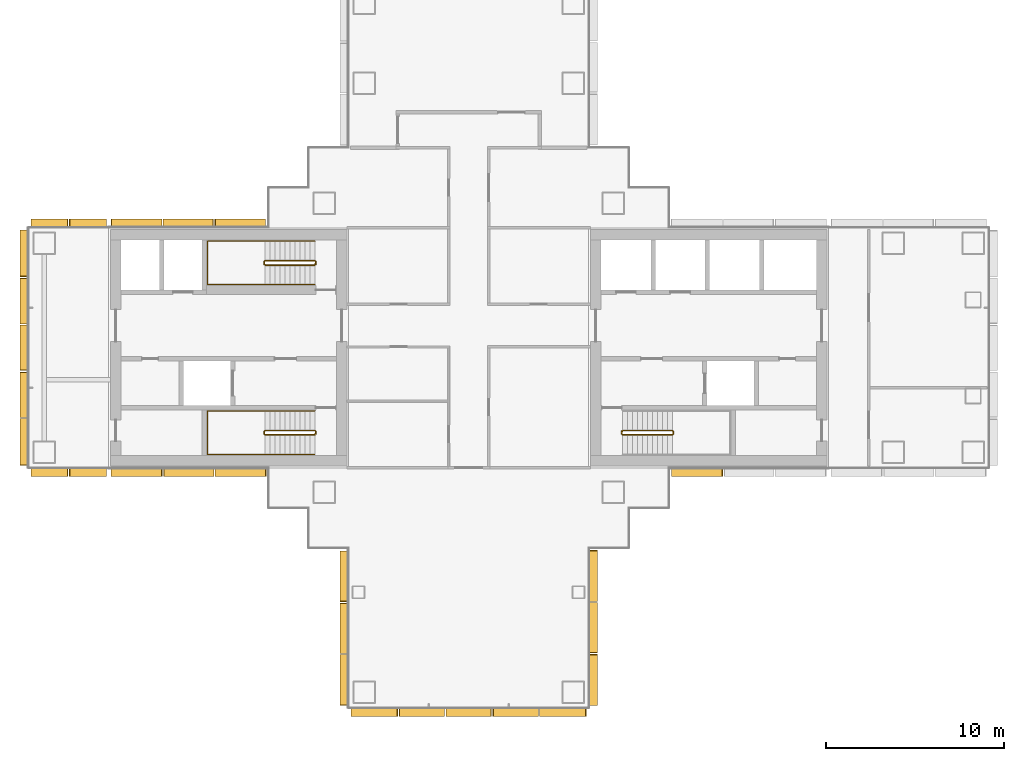
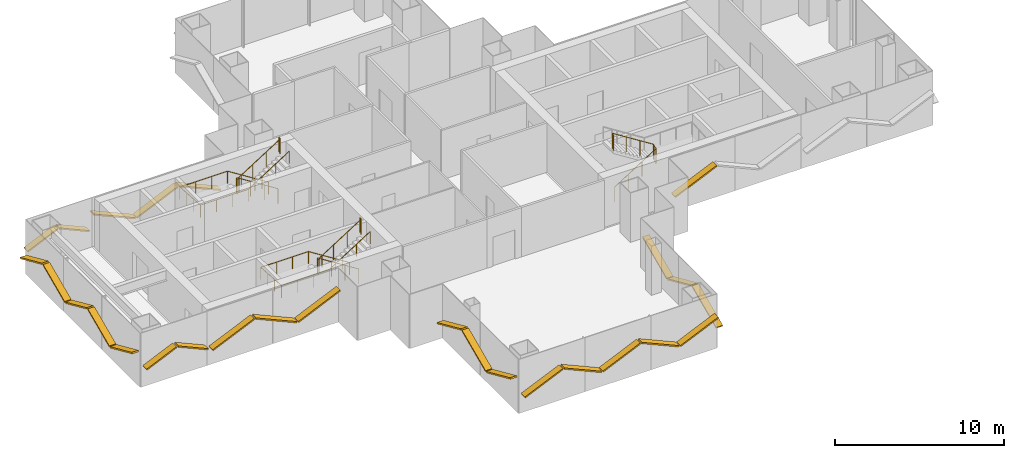
# One storey, part 16 of 19: 27 shading devices, 5 railings.
"""IFC4 building model written with IfcOpenShell, lengths in metres."""

from ifc_helpers import new_model, si_unit, direction, frame, origin, origin_2d, place, context, subcontext, project, spatial, rectangle, circle, extrude, material, material_profile, profile_set, type_object, element, save


model = new_model("IFC4")

# Units and contexts
model_context = context("Model", 3, precision=1e-05, world=origin(), true_north=direction((0.0, 1.0)))
body_context = subcontext(model_context, "Body", "Model", "MODEL_VIEW")
ifc_project = project(units=[si_unit("LENGTHUNIT", "METRE"), si_unit("AREAUNIT", "SQUARE_METRE"), si_unit("VOLUMEUNIT", "CUBIC_METRE"), si_unit("PLANEANGLEUNIT", "RADIAN"), si_unit("MASSUNIT", "GRAM", prefix="KILO")], contexts=[model_context])

# Site, building, storey
site_placement = place(None, origin())
site = spatial("IfcSite", under=ifc_project, at=site_placement, CompositionType="ELEMENT")
building_placement = place(site_placement, origin())
building = spatial("IfcBuilding", under=site, at=building_placement, Name="Shamsa Quay Exchange Towers", CompositionType="ELEMENT")
storey_placement = place(building_placement, frame((0.0, 0.0, 97.5)))
storey = spatial("IfcBuildingStorey", under=building, at=storey_placement, Name="L22", CompositionType="ELEMENT", Elevation=97.5)

# Shading devices
ifc_material_1 = material(Name="Aluminium EN AW-6063 T6, black anodised", Category="aluminium")
ifc_material_profile = material_profile(ifc_material_1, rectangle(XDim=0.449951171875, YDim=0.10009765625, at=origin_2d()), Name="FIN450x100")
ifc_profile_set = profile_set([ifc_material_profile], Name="Aluminium EN AW-6063 T6, black anodised")
shading_device_type = type_object("IfcShadingDeviceType", Name="FIN 450x100 BLACK ALUMINIUM", PredefinedType="USERDEFINED", material=ifc_profile_set)
shading_device_1_placement = place(storey_placement, frame((-40.764892578125, -11.43798828125, 0.96826171875), z_axis=(0.0, -0.913529328323, 0.406772868187), x_axis=(1.0, 0.0, 0.0)))
element("IfcShadingDevice", 1, at=shading_device_1_placement, inside=storey, type_object=shading_device_type, Name="FIN T1 chevron rib", ObjectType="FIN", PredefinedType="USERDEFINED", context=body_context, shape_type="SweptSolid", body=[
    extrude(rectangle(XDim=0.449951171875, YDim=0.10009765625, at=origin_2d()), origin(), (0.0, 0.0, 1.0), 3.10595703125),
])
shading_device_2_placement = place(storey_placement, frame((-40.764892578125, -14.375244140625, 2.220458984375), z_axis=(0.0, -0.913550687431, -0.406724896576), x_axis=(1.0, 0.0, 0.0)))
element("IfcShadingDevice", 2, at=shading_device_2_placement, inside=storey, type_object=shading_device_type, Name="FIN T1 chevron rib", ObjectType="FIN", PredefinedType="USERDEFINED", context=body_context, shape_type="SweptSolid", body=[
    extrude(rectangle(XDim=0.449951171875, YDim=0.10009765625, at=origin_2d()), origin(), (0.0, 0.0, 1.0), 3.051025390625),
])
shading_device_3_placement = place(storey_placement, frame((-40.764892578125, -17.2626953125, 0.96826171875), z_axis=(0.0, -0.913529328323, 0.406772868187), x_axis=(1.0, 0.0, 0.0)))
element("IfcShadingDevice", 3, at=shading_device_3_placement, inside=storey, type_object=shading_device_type, Name="FIN T1 chevron rib", ObjectType="FIN", PredefinedType="USERDEFINED", context=body_context, shape_type="SweptSolid", body=[
    extrude(rectangle(XDim=0.449951171875, YDim=0.10009765625, at=origin_2d()), origin(), (0.0, 0.0, 1.0), 3.10595703125),
])
shading_device_4_placement = place(storey_placement, frame((-40.35009765625, -20.514892578125, 1.0234375), z_axis=(0.91355925163, 0.0, 0.406705659859), x_axis=(0.0, 1.0, 0.0)))
element("IfcShadingDevice", 4, at=shading_device_4_placement, inside=storey, type_object=shading_device_type, Name="FIN T1 chevron rib", ObjectType="FIN", PredefinedType="USERDEFINED", context=body_context, shape_type="SweptSolid", body=[
    extrude(rectangle(XDim=0.449951171875, YDim=0.10009765625, at=origin_2d()), origin(), (0.0, 0.0, 1.0), 2.835205078125),
])
shading_device_5_placement = place(storey_placement, frame((-37.659912109375, -20.514892578125, 2.16552734375), z_axis=(0.913536125794, 0.0, -0.406757602103), x_axis=(0.0, 1.0, 0.0)))
element("IfcShadingDevice", 5, at=shading_device_5_placement, inside=storey, type_object=shading_device_type, Name="FIN T1 chevron rib", ObjectType="FIN", PredefinedType="USERDEFINED", context=body_context, shape_type="SweptSolid", body=[
    extrude(rectangle(XDim=0.449951171875, YDim=0.10009765625, at=origin_2d()), origin(), (0.0, 0.0, 1.0), 2.7802734375),
])
shading_device_6_placement = place(storey_placement, frame((-35.02001953125, -20.514892578125, 1.03466796875), z_axis=(0.913550653139, 0.0, 0.4067249736), x_axis=(0.0, 1.0, 0.0)))
element("IfcShadingDevice", 6, at=shading_device_6_placement, inside=storey, type_object=shading_device_type, Name="FIN T1 chevron rib", ObjectType="FIN", PredefinedType="USERDEFINED", context=body_context, shape_type="SweptSolid", body=[
    extrude(rectangle(XDim=0.449951171875, YDim=0.10009765625, at=origin_2d()), origin(), (0.0, 0.0, 1.0), 2.780517578125),
])
shading_device_7_placement = place(storey_placement, frame((-32.3798828125, -20.514892578125, 2.16552734375), z_axis=(0.913536125794, 0.0, -0.406757602103), x_axis=(0.0, 1.0, 0.0)))
element("IfcShadingDevice", 7, at=shading_device_7_placement, inside=storey, type_object=shading_device_type, Name="FIN T1 chevron rib", ObjectType="FIN", PredefinedType="USERDEFINED", context=body_context, shape_type="SweptSolid", body=[
    extrude(rectangle(XDim=0.449951171875, YDim=0.10009765625, at=origin_2d()), origin(), (0.0, 0.0, 1.0), 2.7802734375),
])
shading_device_8_placement = place(storey_placement, frame((-29.739990234375, -20.514892578125, 1.0234375), z_axis=(0.91355925163, 0.0, 0.406705659859), x_axis=(0.0, 1.0, 0.0)))
element("IfcShadingDevice", 8, at=shading_device_8_placement, inside=storey, type_object=shading_device_type, Name="FIN T1 chevron rib", ObjectType="FIN", PredefinedType="USERDEFINED", context=body_context, shape_type="SweptSolid", body=[
    extrude(rectangle(XDim=0.449951171875, YDim=0.10009765625, at=origin_2d()), origin(), (0.0, 0.0, 1.0), 2.835205078125),
])
shading_device_9_placement = place(storey_placement, frame((-26.735107421875, -20.10009765625, 0.965576171875), z_axis=(0.0, 0.913562893981, 0.406697478158), x_axis=(-1.0, 0.0, 0.0)))
element("IfcShadingDevice", 9, at=shading_device_9_placement, inside=storey, type_object=shading_device_type, Name="FIN T1 chevron rib", ObjectType="FIN", PredefinedType="USERDEFINED", context=body_context, shape_type="SweptSolid", body=[
    extrude(rectangle(XDim=0.449951171875, YDim=0.10009765625, at=origin_2d()), origin(), (0.0, 0.0, 1.0), 3.119873046875),
])
shading_device_10_placement = place(storey_placement, frame((-26.735107421875, -17.14990234375, 2.223388671875), z_axis=(0.0, 0.913512380128, -0.406810928262), x_axis=(-1.0, 0.0, 0.0)))
element("IfcShadingDevice", 10, at=shading_device_10_placement, inside=storey, type_object=shading_device_type, Name="FIN T1 chevron rib", ObjectType="FIN", PredefinedType="USERDEFINED", context=body_context, shape_type="SweptSolid", body=[
    extrude(rectangle(XDim=0.449951171875, YDim=0.10009765625, at=origin_2d()), origin(), (0.0, 0.0, 1.0), 3.06494140625),
])
shading_device_11_placement = place(storey_placement, frame((-26.735107421875, -14.25, 0.965576171875), z_axis=(0.0, 0.913562893981, 0.406697478158), x_axis=(-1.0, 0.0, 0.0)))
element("IfcShadingDevice", 11, at=shading_device_11_placement, inside=storey, type_object=shading_device_type, Name="FIN T1 chevron rib", ObjectType="FIN", PredefinedType="USERDEFINED", context=body_context, shape_type="SweptSolid", body=[
    extrude(rectangle(XDim=0.449951171875, YDim=0.10009765625, at=origin_2d()), origin(), (0.0, 0.0, 1.0), 3.119873046875),
])
for number, where, z_axis, x_axis, name in (
    (12, (-22.31201171875, -7.01904296875, 0.96826171875), (0.913529328323, 0.0, 0.406772868187), (0.0, 1.0, 0.0), "FIN T1 chevron rib"),
    (13, (-45.18798828125, 7.01904296875, 0.96826171875), (-0.913529328323, 0.0, 0.406772868187), (0.0, -1.0, 0.0), "FIN T1 chevron rib"),
):
    element("IfcShadingDevice", number, at=place(storey_placement, frame(where, z_axis=z_axis, x_axis=x_axis)), inside=storey, type_object=shading_device_type, Name=name, ObjectType="FIN", PredefinedType="USERDEFINED", context=body_context, shape_type="SweptSolid", body=[
        extrude(rectangle(XDim=0.449951171875, YDim=0.10009765625, at=origin_2d()), origin(), (0.0, 0.0, 1.0), 3.10595703125),
    ])
shading_device_12_placement = place(storey_placement, frame((-48.125244140625, 7.01904296875, 2.220458984375), z_axis=(-0.913550687431, 0.0, -0.406724896576), x_axis=(0.0, -1.0, 0.0)))
element("IfcShadingDevice", 14, at=shading_device_12_placement, inside=storey, type_object=shading_device_type, Name="FIN T1 chevron rib", ObjectType="FIN", PredefinedType="USERDEFINED", context=body_context, shape_type="SweptSolid", body=[
    extrude(rectangle(XDim=0.449951171875, YDim=0.10009765625, at=origin_2d()), origin(), (0.0, 0.0, 1.0), 3.051025390625),
])
shading_device_13_placement = place(storey_placement, frame((-51.0126953125, 7.01904296875, 0.96826171875), z_axis=(-0.913529328323, 0.0, 0.406772868187), x_axis=(0.0, -1.0, 0.0)))
element("IfcShadingDevice", 15, at=shading_device_13_placement, inside=storey, type_object=shading_device_type, Name="FIN T1 chevron rib", ObjectType="FIN", PredefinedType="USERDEFINED", context=body_context, shape_type="SweptSolid", body=[
    extrude(rectangle(XDim=0.449951171875, YDim=0.10009765625, at=origin_2d()), origin(), (0.0, 0.0, 1.0), 3.10595703125),
])
for number, where, z_axis, x_axis, name in (
    (16, (-54.14990234375, 7.014892578125, 1.1435546875), (-0.913528691757, 0.0, 0.406774297783), (0.0, -1.0, 0.0), "FIN T1 chevron rib"),
    (17, (-56.300048828125, 7.014892578125, 2.056396484375), (-0.913528691757, 0.0, -0.406774297783), (0.0, -1.0, 0.0), "FIN T1 chevron rib"),
):
    element("IfcShadingDevice", number, at=place(storey_placement, frame(where, z_axis=z_axis, x_axis=x_axis)), inside=storey, type_object=shading_device_type, Name=name, ObjectType="FIN", PredefinedType="USERDEFINED", context=body_context, shape_type="SweptSolid", body=[
        extrude(rectangle(XDim=0.449951171875, YDim=0.10009765625, at=origin_2d()), origin(), (0.0, 0.0, 1.0), 2.244140625),
    ])
shading_device_14_placement = place(storey_placement, frame((-58.764892578125, 6.60009765625, 1.0234375), z_axis=(0.0, -0.91355925163, 0.406705659859), x_axis=(1.0, 0.0, 0.0)))
element("IfcShadingDevice", 18, at=shading_device_14_placement, inside=storey, type_object=shading_device_type, Name="FIN T1 chevron rib", ObjectType="FIN", PredefinedType="USERDEFINED", context=body_context, shape_type="SweptSolid", body=[
    extrude(rectangle(XDim=0.449951171875, YDim=0.10009765625, at=origin_2d()), origin(), (0.0, 0.0, 1.0), 2.835205078125),
])
shading_device_15_placement = place(storey_placement, frame((-58.764892578125, 3.909912109375, 2.16552734375), z_axis=(0.0, -0.913536125794, -0.406757602103), x_axis=(1.0, 0.0, 0.0)))
element("IfcShadingDevice", 19, at=shading_device_15_placement, inside=storey, type_object=shading_device_type, Name="FIN T1 chevron rib", ObjectType="FIN", PredefinedType="USERDEFINED", context=body_context, shape_type="SweptSolid", body=[
    extrude(rectangle(XDim=0.449951171875, YDim=0.10009765625, at=origin_2d()), origin(), (0.0, 0.0, 1.0), 2.7802734375),
])
shading_device_16_placement = place(storey_placement, frame((-58.764892578125, 1.27001953125, 1.03466796875), z_axis=(0.0, -0.913550653139, 0.4067249736), x_axis=(1.0, 0.0, 0.0)))
element("IfcShadingDevice", 20, at=shading_device_16_placement, inside=storey, type_object=shading_device_type, Name="FIN T1 chevron rib", ObjectType="FIN", PredefinedType="USERDEFINED", context=body_context, shape_type="SweptSolid", body=[
    extrude(rectangle(XDim=0.449951171875, YDim=0.10009765625, at=origin_2d()), origin(), (0.0, 0.0, 1.0), 2.780517578125),
])
shading_device_17_placement = place(storey_placement, frame((-58.764892578125, -1.3701171875, 2.16552734375), z_axis=(0.0, -0.913536125794, -0.406757602103), x_axis=(1.0, 0.0, 0.0)))
element("IfcShadingDevice", 21, at=shading_device_17_placement, inside=storey, type_object=shading_device_type, Name="FIN T1 chevron rib", ObjectType="FIN", PredefinedType="USERDEFINED", context=body_context, shape_type="SweptSolid", body=[
    extrude(rectangle(XDim=0.449951171875, YDim=0.10009765625, at=origin_2d()), origin(), (0.0, 0.0, 1.0), 2.7802734375),
])
shading_device_18_placement = place(storey_placement, frame((-58.764892578125, -4.010009765625, 1.0234375), z_axis=(0.0, -0.91355925163, 0.406705659859), x_axis=(1.0, 0.0, 0.0)))
element("IfcShadingDevice", 22, at=shading_device_18_placement, inside=storey, type_object=shading_device_type, Name="FIN T1 chevron rib", ObjectType="FIN", PredefinedType="USERDEFINED", context=body_context, shape_type="SweptSolid", body=[
    extrude(rectangle(XDim=0.449951171875, YDim=0.10009765625, at=origin_2d()), origin(), (0.0, 0.0, 1.0), 2.835205078125),
])
for number, where, z_axis, x_axis, name in (
    (23, (-58.35009765625, -7.014892578125, 1.1435546875), (0.913528691757, 0.0, 0.406774297783), (0.0, 1.0, 0.0), "FIN T1 chevron rib"),
    (24, (-56.199951171875, -7.014892578125, 2.056396484375), (0.913528691757, 0.0, -0.406774297783), (0.0, 1.0, 0.0), "FIN T1 chevron rib"),
):
    element("IfcShadingDevice", number, at=place(storey_placement, frame(where, z_axis=z_axis, x_axis=x_axis)), inside=storey, type_object=shading_device_type, Name=name, ObjectType="FIN", PredefinedType="USERDEFINED", context=body_context, shape_type="SweptSolid", body=[
        extrude(rectangle(XDim=0.449951171875, YDim=0.10009765625, at=origin_2d()), origin(), (0.0, 0.0, 1.0), 2.244140625),
    ])
shading_device_19_placement = place(storey_placement, frame((-53.85009765625, -7.01904296875, 0.965576171875), z_axis=(0.913562893981, 0.0, 0.406697478158), x_axis=(0.0, 1.0, 0.0)))
element("IfcShadingDevice", 25, at=shading_device_19_placement, inside=storey, type_object=shading_device_type, Name="FIN T1 chevron rib", ObjectType="FIN", PredefinedType="USERDEFINED", context=body_context, shape_type="SweptSolid", body=[
    extrude(rectangle(XDim=0.449951171875, YDim=0.10009765625, at=origin_2d()), origin(), (0.0, 0.0, 1.0), 3.119873046875),
])
shading_device_20_placement = place(storey_placement, frame((-50.89990234375, -7.01904296875, 2.223388671875), z_axis=(0.913512380128, 0.0, -0.406810928262), x_axis=(0.0, 1.0, 0.0)))
element("IfcShadingDevice", 26, at=shading_device_20_placement, inside=storey, type_object=shading_device_type, Name="FIN T1 chevron rib", ObjectType="FIN", PredefinedType="USERDEFINED", context=body_context, shape_type="SweptSolid", body=[
    extrude(rectangle(XDim=0.449951171875, YDim=0.10009765625, at=origin_2d()), origin(), (0.0, 0.0, 1.0), 3.06494140625),
])
shading_device_21_placement = place(storey_placement, frame((-48.0, -7.01904296875, 0.965576171875), z_axis=(0.913562893981, 0.0, 0.406697478158), x_axis=(0.0, 1.0, 0.0)))
element("IfcShadingDevice", 27, at=shading_device_21_placement, inside=storey, type_object=shading_device_type, Name="FIN T1 chevron rib", ObjectType="FIN", PredefinedType="USERDEFINED", context=body_context, shape_type="SweptSolid", body=[
    extrude(rectangle(XDim=0.449951171875, YDim=0.10009765625, at=origin_2d()), origin(), (0.0, 0.0, 1.0), 3.119873046875),
])

# Railings
ifc_material_2 = material(Name="Stainless steel", Category="steel")
railing_type_1 = type_object("IfcRailingType", Name="STAIR GUARD 1100", PredefinedType="GUARDRAIL", material=ifc_material_2)
railing_1_placement = place(storey_placement, frame((-25.10009765625, -4.89990234375, 0.17724609375)))
element("IfcRailing", 28, at=railing_1_placement, inside=storey, type_object=railing_type_1, Name="L22 ST1 stair guard 1", PredefinedType="GUARDRAIL", context=body_context, shape_type="SweptSolid", body=[
    extrude(circle(Radius=0.02392578125, at=origin_2d()), frame((0.0, 0.0, 1.076171875), z_axis=(0.844908973607, 0.0, 0.534910110503), x_axis=(0.0, 1.0, 0.0)), (0.0, 0.0, 1.0), 3.31396484375),
    extrude(circle(Radius=0.02392578125, at=origin_2d()), frame((2.800048828125, 0.0, 2.8486328125), z_axis=(0.708833529934, 0.705375805398, 0.0), x_axis=(-0.705375805398, 0.708833529934, 0.0)), (0.0, 0.0, 1.0), 0.070556640625),
    extrude(circle(Radius=0.02392578125, at=origin_2d()), frame((2.85009765625, 0.0498046875, 2.8486328125), z_axis=(0.0, 1.0, 0.0), x_axis=(-1.0, 0.0, 0.0)), (0.0, 0.0, 1.0), 0.150146484375),
    extrude(circle(Radius=0.02392578125, at=origin_2d()), frame((2.85009765625, 0.199951171875, 2.8486328125), z_axis=(-0.262233686654, 0.262233686654, 0.928691007369), x_axis=(-0.707106781187, -0.707106781187, 0.0)), (0.0, 0.0, 1.0), 0.19091796875),
    extrude(circle(Radius=0.02392578125, at=origin_2d()), frame((2.800048828125, 0.25, 3.02587890625), z_axis=(-0.844908973607, 0.0, 0.534910110503), x_axis=(0.0, -1.0, 0.0)), (0.0, 0.0, 1.0), 3.31396484375),
    extrude(circle(Radius=0.02392578125, at=origin_2d()), frame((0.0, 0.25, 4.798828125), z_axis=(-0.24142163986, -0.970420317083, 0.0), x_axis=(0.970420317083, -0.24142163986, 0.0)), (0.0, 0.0, 1.0), 0.206298828125),
    extrude(circle(Radius=0.02392578125, at=origin_2d()), frame((-0.0498046875, 0.0498046875, 4.798828125), z_axis=(0.0, 1.0, 0.0), x_axis=(-1.0, 0.0, 0.0)), (0.0, 0.0, 1.0), 0.150146484375),
    extrude(circle(Radius=0.02099609375, at=origin_2d()), origin(), (0.0, 0.0, 1.0), 1.052001953125),
    extrude(circle(Radius=0.02099609375, at=origin_2d()), frame((0.933349609375, 0.0, 0.5908203125)), (0.0, 0.0, 1.0), 1.052001953125),
    extrude(circle(Radius=0.02099609375, at=origin_2d()), frame((1.86669921875, 0.0, 1.181884765625)), (0.0, 0.0, 1.0), 1.052001953125),
    extrude(circle(Radius=0.02099609375, at=origin_2d()), frame((2.800048828125, 0.0, 1.772705078125)), (0.0, 0.0, 1.0), 1.052001953125),
    extrude(circle(Radius=0.02099609375, at=origin_2d()), frame((2.85009765625, 0.0498046875, 1.772705078125)), (0.0, 0.0, 1.0), 1.052001953125),
    extrude(circle(Radius=0.02099609375, at=origin_2d()), frame((2.85009765625, 0.199951171875, 1.772705078125)), (0.0, 0.0, 1.0), 1.052001953125),
    extrude(circle(Radius=0.02099609375, at=origin_2d()), frame((2.800048828125, 0.25, 1.949951171875)), (0.0, 0.0, 1.0), 1.052001953125),
    extrude(circle(Radius=0.02099609375, at=origin_2d()), frame((1.86669921875, 0.25, 2.540771484375)), (0.0, 0.0, 1.0), 1.052001953125),
    extrude(circle(Radius=0.02099609375, at=origin_2d()), frame((0.933349609375, 0.25, 3.1318359375)), (0.0, 0.0, 1.0), 1.052001953125),
    extrude(circle(Radius=0.02099609375, at=origin_2d()), frame((0.0, 0.25, 3.72265625)), (0.0, 0.0, 1.0), 1.052001953125),
    extrude(circle(Radius=0.02099609375, at=origin_2d()), frame((-0.0498046875, 0.0498046875, 3.72265625)), (0.0, 0.0, 1.0), 1.052001953125),
    extrude(circle(Radius=0.02099609375, at=origin_2d()), frame((-0.0498046875, 0.199951171875, 3.72265625)), (0.0, 0.0, 1.0), 1.052001953125),
])
railing_2_placement = place(storey_placement, frame((-42.39990234375, -4.64990234375, 0.17724609375)))
element("IfcRailing", 29, at=railing_2_placement, inside=storey, type_object=railing_type_1, Name="L22 ST2 stair guard 1", PredefinedType="GUARDRAIL", context=body_context, shape_type="SweptSolid", body=[
    extrude(circle(Radius=0.02392578125, at=origin_2d()), frame((0.0, 0.0, 1.076171875), z_axis=(-0.844908973607, 0.0, 0.534910110503), x_axis=(0.0, -1.0, 0.0)), (0.0, 0.0, 1.0), 3.31396484375),
    extrude(circle(Radius=0.02392578125, at=origin_2d()), frame((-2.800048828125, 0.0, 2.8486328125), z_axis=(-0.707106781187, -0.707106781187, 0.0), x_axis=(0.707106781187, -0.707106781187, 0.0)), (0.0, 0.0, 1.0), 0.07080078125),
    extrude(circle(Radius=0.02392578125, at=origin_2d()), frame((-2.85009765625, -0.050048828125, 2.8486328125), z_axis=(0.0, -1.0, 0.0), x_axis=(1.0, 0.0, 0.0)), (0.0, 0.0, 1.0), 0.150146484375),
    extrude(circle(Radius=0.02392578125, at=origin_2d()), frame((-2.85009765625, -0.2001953125, 2.8486328125), z_axis=(0.262321481514, -0.261041864531, 0.929001929653), x_axis=(0.705375805398, 0.708833529934, 0.0)), (0.0, 0.0, 1.0), 0.190673828125),
    extrude(circle(Radius=0.02392578125, at=origin_2d()), frame((-2.800048828125, -0.25, 3.02587890625), z_axis=(0.844908973607, 0.0, 0.534910110503), x_axis=(0.0, 1.0, 0.0)), (0.0, 0.0, 1.0), 3.31396484375),
    extrude(circle(Radius=0.02392578125, at=origin_2d()), frame((0.0, -0.25, 4.798828125), z_axis=(0.241699205484, 0.970351222016, 0.0), x_axis=(-0.970351222016, 0.241699205484, 0.0)), (0.0, 0.0, 1.0), 0.2060546875),
    extrude(circle(Radius=0.02392578125, at=origin_2d()), frame((0.0498046875, -0.050048828125, 4.798828125), z_axis=(0.0, -1.0, 0.0), x_axis=(1.0, 0.0, 0.0)), (0.0, 0.0, 1.0), 0.150146484375),
    extrude(circle(Radius=0.02099609375, at=origin_2d()), origin(), (0.0, 0.0, 1.0), 1.052001953125),
    extrude(circle(Radius=0.02099609375, at=origin_2d()), frame((-0.933349609375, 0.0, 0.5908203125)), (0.0, 0.0, 1.0), 1.052001953125),
    extrude(circle(Radius=0.02099609375, at=origin_2d()), frame((-1.86669921875, 0.0, 1.181884765625)), (0.0, 0.0, 1.0), 1.052001953125),
    extrude(circle(Radius=0.02099609375, at=origin_2d()), frame((-2.800048828125, 0.0, 1.772705078125)), (0.0, 0.0, 1.0), 1.052001953125),
    extrude(circle(Radius=0.02099609375, at=origin_2d()), frame((-2.85009765625, -0.050048828125, 1.772705078125)), (0.0, 0.0, 1.0), 1.052001953125),
    extrude(circle(Radius=0.02099609375, at=origin_2d()), frame((-2.85009765625, -0.2001953125, 1.772705078125)), (0.0, 0.0, 1.0), 1.052001953125),
    extrude(circle(Radius=0.02099609375, at=origin_2d()), frame((-2.800048828125, -0.25, 1.949951171875)), (0.0, 0.0, 1.0), 1.052001953125),
    extrude(circle(Radius=0.02099609375, at=origin_2d()), frame((-1.86669921875, -0.25, 2.540771484375)), (0.0, 0.0, 1.0), 1.052001953125),
    extrude(circle(Radius=0.02099609375, at=origin_2d()), frame((-0.933349609375, -0.25, 3.1318359375)), (0.0, 0.0, 1.0), 1.052001953125),
    extrude(circle(Radius=0.02099609375, at=origin_2d()), frame((0.0, -0.25, 3.72265625)), (0.0, 0.0, 1.0), 1.052001953125),
    extrude(circle(Radius=0.02099609375, at=origin_2d()), frame((0.0498046875, -0.050048828125, 3.72265625)), (0.0, 0.0, 1.0), 1.052001953125),
    extrude(circle(Radius=0.02099609375, at=origin_2d()), frame((0.0498046875, -0.2001953125, 3.72265625)), (0.0, 0.0, 1.0), 1.052001953125),
])
railing_3_placement = place(storey_placement, frame((-42.39990234375, 4.89990234375, 0.17724609375)))
element("IfcRailing", 30, at=railing_3_placement, inside=storey, type_object=railing_type_1, Name="L22 ST3 stair guard 1", PredefinedType="GUARDRAIL", context=body_context, shape_type="SweptSolid", body=[
    extrude(circle(Radius=0.02392578125, at=origin_2d()), frame((0.0, 0.0, 1.076171875), z_axis=(-0.844908973607, 0.0, 0.534910110503), x_axis=(0.0, -1.0, 0.0)), (0.0, 0.0, 1.0), 3.31396484375),
    extrude(circle(Radius=0.02392578125, at=origin_2d()), frame((-2.800048828125, 0.0, 2.8486328125), z_axis=(-0.708833529934, -0.705375805398, 0.0), x_axis=(0.705375805398, -0.708833529934, 0.0)), (0.0, 0.0, 1.0), 0.070556640625),
    extrude(circle(Radius=0.02392578125, at=origin_2d()), frame((-2.85009765625, -0.0498046875, 2.8486328125), z_axis=(0.0, -1.0, 0.0), x_axis=(1.0, 0.0, 0.0)), (0.0, 0.0, 1.0), 0.150146484375),
    extrude(circle(Radius=0.02392578125, at=origin_2d()), frame((-2.85009765625, -0.199951171875, 2.8486328125), z_axis=(0.262233686654, -0.262233686654, 0.928691007369), x_axis=(0.707106781187, 0.707106781187, 0.0)), (0.0, 0.0, 1.0), 0.19091796875),
    extrude(circle(Radius=0.02392578125, at=origin_2d()), frame((-2.800048828125, -0.25, 3.02587890625), z_axis=(0.844908973607, 0.0, 0.534910110503), x_axis=(0.0, 1.0, 0.0)), (0.0, 0.0, 1.0), 3.31396484375),
    extrude(circle(Radius=0.02392578125, at=origin_2d()), frame((0.0, -0.25, 4.798828125), z_axis=(0.24142163986, 0.970420317083, 0.0), x_axis=(-0.970420317083, 0.24142163986, 0.0)), (0.0, 0.0, 1.0), 0.206298828125),
    extrude(circle(Radius=0.02392578125, at=origin_2d()), frame((0.0498046875, -0.0498046875, 4.798828125), z_axis=(0.0, -1.0, 0.0), x_axis=(1.0, 0.0, 0.0)), (0.0, 0.0, 1.0), 0.150146484375),
    extrude(circle(Radius=0.02099609375, at=origin_2d()), origin(), (0.0, 0.0, 1.0), 1.052001953125),
    extrude(circle(Radius=0.02099609375, at=origin_2d()), frame((-0.933349609375, 0.0, 0.5908203125)), (0.0, 0.0, 1.0), 1.052001953125),
    extrude(circle(Radius=0.02099609375, at=origin_2d()), frame((-1.86669921875, 0.0, 1.181884765625)), (0.0, 0.0, 1.0), 1.052001953125),
    extrude(circle(Radius=0.02099609375, at=origin_2d()), frame((-2.800048828125, 0.0, 1.772705078125)), (0.0, 0.0, 1.0), 1.052001953125),
    extrude(circle(Radius=0.02099609375, at=origin_2d()), frame((-2.85009765625, -0.0498046875, 1.772705078125)), (0.0, 0.0, 1.0), 1.052001953125),
    extrude(circle(Radius=0.02099609375, at=origin_2d()), frame((-2.85009765625, -0.199951171875, 1.772705078125)), (0.0, 0.0, 1.0), 1.052001953125),
    extrude(circle(Radius=0.02099609375, at=origin_2d()), frame((-2.800048828125, -0.25, 1.949951171875)), (0.0, 0.0, 1.0), 1.052001953125),
    extrude(circle(Radius=0.02099609375, at=origin_2d()), frame((-1.86669921875, -0.25, 2.540771484375)), (0.0, 0.0, 1.0), 1.052001953125),
    extrude(circle(Radius=0.02099609375, at=origin_2d()), frame((-0.933349609375, -0.25, 3.1318359375)), (0.0, 0.0, 1.0), 1.052001953125),
    extrude(circle(Radius=0.02099609375, at=origin_2d()), frame((0.0, -0.25, 3.72265625)), (0.0, 0.0, 1.0), 1.052001953125),
    extrude(circle(Radius=0.02099609375, at=origin_2d()), frame((0.0498046875, -0.0498046875, 3.72265625)), (0.0, 0.0, 1.0), 1.052001953125),
    extrude(circle(Radius=0.02099609375, at=origin_2d()), frame((0.0498046875, -0.199951171875, 3.72265625)), (0.0, 0.0, 1.0), 1.052001953125),
])
railing_type_2 = type_object("IfcRailingType", Name="STAIR HANDRAIL 900", PredefinedType="HANDRAIL", material=ifc_material_2)
railing_4_placement = place(storey_placement, frame((-42.39990234375, -3.550048828125, 0.17724609375)))
element("IfcRailing", 31, at=railing_4_placement, inside=storey, type_object=railing_type_2, Name="L22 ST2 stair handrail 1", PredefinedType="HANDRAIL", context=body_context, shape_type="SweptSolid", body=[
    extrude(circle(Radius=0.02392578125, at=origin_2d()), frame((0.0, 0.0, 0.8759765625), z_axis=(-0.844908973607, 0.0, 0.534910110503), x_axis=(0.0, -1.0, 0.0)), (0.0, 0.0, 1.0), 3.31396484375),
    extrude(circle(Radius=0.02392578125, at=origin_2d()), frame((-2.800048828125, 0.0, 2.6484375), z_axis=(-1.0, 0.0, 0.0), x_axis=(0.0, -1.0, 0.0)), (0.0, 0.0, 1.0), 3.25),
    extrude(circle(Radius=0.02392578125, at=origin_2d()), frame((-6.050048828125, 0.0, 2.6484375), z_axis=(0.0, -0.997393199914, 0.07215819264), x_axis=(1.0, 0.0, 0.0)), (0.0, 0.0, 1.0), 2.456298828125),
    extrude(circle(Radius=0.02392578125, at=origin_2d()), frame((-6.050048828125, -2.449951171875, 2.82568359375), z_axis=(1.0, 0.0, 0.0), x_axis=(0.0, 1.0, 0.0)), (0.0, 0.0, 1.0), 3.25),
    extrude(circle(Radius=0.02392578125, at=origin_2d()), frame((-2.800048828125, -2.449951171875, 2.82568359375), z_axis=(0.844908973607, 0.0, 0.534910110503), x_axis=(0.0, 1.0, 0.0)), (0.0, 0.0, 1.0), 3.31396484375),
    extrude(circle(Radius=0.02099609375, at=origin_2d()), origin(), (0.0, 0.0, 1.0), 0.851806640625),
    extrude(circle(Radius=0.02099609375, at=origin_2d()), frame((-0.933349609375, 0.0, 0.5908203125)), (0.0, 0.0, 1.0), 0.851806640625),
    extrude(circle(Radius=0.02099609375, at=origin_2d()), frame((-1.86669921875, 0.0, 1.181884765625)), (0.0, 0.0, 1.0), 0.851806640625),
    extrude(circle(Radius=0.02099609375, at=origin_2d()), frame((-2.800048828125, 0.0, 1.772705078125)), (0.0, 0.0, 1.0), 0.851806640625),
    extrude(circle(Radius=0.02099609375, at=origin_2d()), frame((-3.88330078125, 0.0, 1.772705078125)), (0.0, 0.0, 1.0), 0.851806640625),
    extrude(circle(Radius=0.02099609375, at=origin_2d()), frame((-4.966796875, 0.0, 1.772705078125)), (0.0, 0.0, 1.0), 0.851806640625),
    extrude(circle(Radius=0.02099609375, at=origin_2d()), frame((-6.050048828125, 0.0, 1.772705078125)), (0.0, 0.0, 1.0), 0.851806640625),
    extrude(circle(Radius=0.02099609375, at=origin_2d()), frame((-6.050048828125, -0.816650390625, 1.831787109375)), (0.0, 0.0, 1.0), 0.851806640625),
    extrude(circle(Radius=0.02099609375, at=origin_2d()), frame((-6.050048828125, -1.63330078125, 1.890869140625)), (0.0, 0.0, 1.0), 0.851806640625),
    extrude(circle(Radius=0.02099609375, at=origin_2d()), frame((-6.050048828125, -2.449951171875, 1.949951171875)), (0.0, 0.0, 1.0), 0.851806640625),
    extrude(circle(Radius=0.02099609375, at=origin_2d()), frame((-4.966796875, -2.449951171875, 1.949951171875)), (0.0, 0.0, 1.0), 0.851806640625),
    extrude(circle(Radius=0.02099609375, at=origin_2d()), frame((-3.88330078125, -2.449951171875, 1.949951171875)), (0.0, 0.0, 1.0), 0.851806640625),
    extrude(circle(Radius=0.02099609375, at=origin_2d()), frame((-2.800048828125, -2.449951171875, 1.949951171875)), (0.0, 0.0, 1.0), 0.851806640625),
    extrude(circle(Radius=0.02099609375, at=origin_2d()), frame((-1.86669921875, -2.449951171875, 2.540771484375)), (0.0, 0.0, 1.0), 0.851806640625),
    extrude(circle(Radius=0.02099609375, at=origin_2d()), frame((-0.933349609375, -2.449951171875, 3.1318359375)), (0.0, 0.0, 1.0), 0.851806640625),
    extrude(circle(Radius=0.02099609375, at=origin_2d()), frame((0.0, -2.449951171875, 3.72265625)), (0.0, 0.0, 1.0), 0.851806640625),
])
railing_5_placement = place(storey_placement, frame((-42.39990234375, 6.0, 0.17724609375)))
element("IfcRailing", 32, at=railing_5_placement, inside=storey, type_object=railing_type_2, Name="L22 ST3 stair handrail 1", PredefinedType="HANDRAIL", context=body_context, shape_type="SweptSolid", body=[
    extrude(circle(Radius=0.02392578125, at=origin_2d()), frame((0.0, 0.0, 0.8759765625), z_axis=(-0.844908973607, 0.0, 0.534910110503), x_axis=(0.0, -1.0, 0.0)), (0.0, 0.0, 1.0), 3.31396484375),
    extrude(circle(Radius=0.02392578125, at=origin_2d()), frame((-2.800048828125, 0.0, 2.6484375), z_axis=(-1.0, 0.0, 0.0), x_axis=(0.0, -1.0, 0.0)), (0.0, 0.0, 1.0), 3.25),
    extrude(circle(Radius=0.02392578125, at=origin_2d()), frame((-6.050048828125, 0.0, 2.6484375), z_axis=(0.0, -0.997393199914, 0.07215819264), x_axis=(1.0, 0.0, 0.0)), (0.0, 0.0, 1.0), 2.456298828125),
    extrude(circle(Radius=0.02392578125, at=origin_2d()), frame((-6.050048828125, -2.449951171875, 2.82568359375), z_axis=(1.0, 0.0, 0.0), x_axis=(0.0, 1.0, 0.0)), (0.0, 0.0, 1.0), 3.25),
    extrude(circle(Radius=0.02392578125, at=origin_2d()), frame((-2.800048828125, -2.449951171875, 2.82568359375), z_axis=(0.844908973607, 0.0, 0.534910110503), x_axis=(0.0, 1.0, 0.0)), (0.0, 0.0, 1.0), 3.31396484375),
    extrude(circle(Radius=0.02099609375, at=origin_2d()), origin(), (0.0, 0.0, 1.0), 0.851806640625),
    extrude(circle(Radius=0.02099609375, at=origin_2d()), frame((-0.933349609375, 0.0, 0.5908203125)), (0.0, 0.0, 1.0), 0.851806640625),
    extrude(circle(Radius=0.02099609375, at=origin_2d()), frame((-1.86669921875, 0.0, 1.181884765625)), (0.0, 0.0, 1.0), 0.851806640625),
    extrude(circle(Radius=0.02099609375, at=origin_2d()), frame((-2.800048828125, 0.0, 1.772705078125)), (0.0, 0.0, 1.0), 0.851806640625),
    extrude(circle(Radius=0.02099609375, at=origin_2d()), frame((-3.88330078125, 0.0, 1.772705078125)), (0.0, 0.0, 1.0), 0.851806640625),
    extrude(circle(Radius=0.02099609375, at=origin_2d()), frame((-4.966796875, 0.0, 1.772705078125)), (0.0, 0.0, 1.0), 0.851806640625),
    extrude(circle(Radius=0.02099609375, at=origin_2d()), frame((-6.050048828125, 0.0, 1.772705078125)), (0.0, 0.0, 1.0), 0.851806640625),
    extrude(circle(Radius=0.02099609375, at=origin_2d()), frame((-6.050048828125, -0.816650390625, 1.831787109375)), (0.0, 0.0, 1.0), 0.851806640625),
    extrude(circle(Radius=0.02099609375, at=origin_2d()), frame((-6.050048828125, -1.63330078125, 1.890869140625)), (0.0, 0.0, 1.0), 0.851806640625),
    extrude(circle(Radius=0.02099609375, at=origin_2d()), frame((-6.050048828125, -2.449951171875, 1.949951171875)), (0.0, 0.0, 1.0), 0.851806640625),
    extrude(circle(Radius=0.02099609375, at=origin_2d()), frame((-4.966796875, -2.449951171875, 1.949951171875)), (0.0, 0.0, 1.0), 0.851806640625),
    extrude(circle(Radius=0.02099609375, at=origin_2d()), frame((-3.88330078125, -2.449951171875, 1.949951171875)), (0.0, 0.0, 1.0), 0.851806640625),
    extrude(circle(Radius=0.02099609375, at=origin_2d()), frame((-2.800048828125, -2.449951171875, 1.949951171875)), (0.0, 0.0, 1.0), 0.851806640625),
    extrude(circle(Radius=0.02099609375, at=origin_2d()), frame((-1.86669921875, -2.449951171875, 2.540771484375)), (0.0, 0.0, 1.0), 0.851806640625),
    extrude(circle(Radius=0.02099609375, at=origin_2d()), frame((-0.933349609375, -2.449951171875, 3.1318359375)), (0.0, 0.0, 1.0), 0.851806640625),
    extrude(circle(Radius=0.02099609375, at=origin_2d()), frame((0.0, -2.449951171875, 3.72265625)), (0.0, 0.0, 1.0), 0.851806640625),
])

save(model, "model.ifc")
